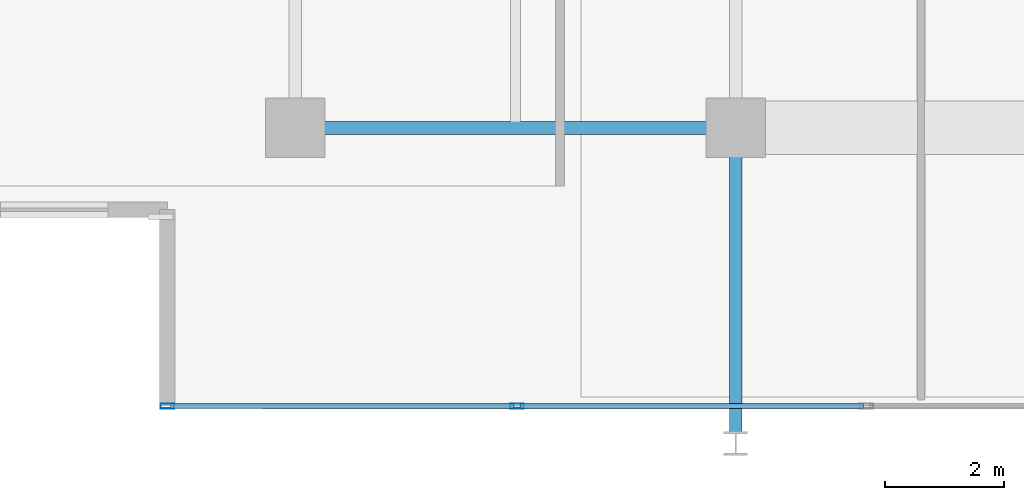
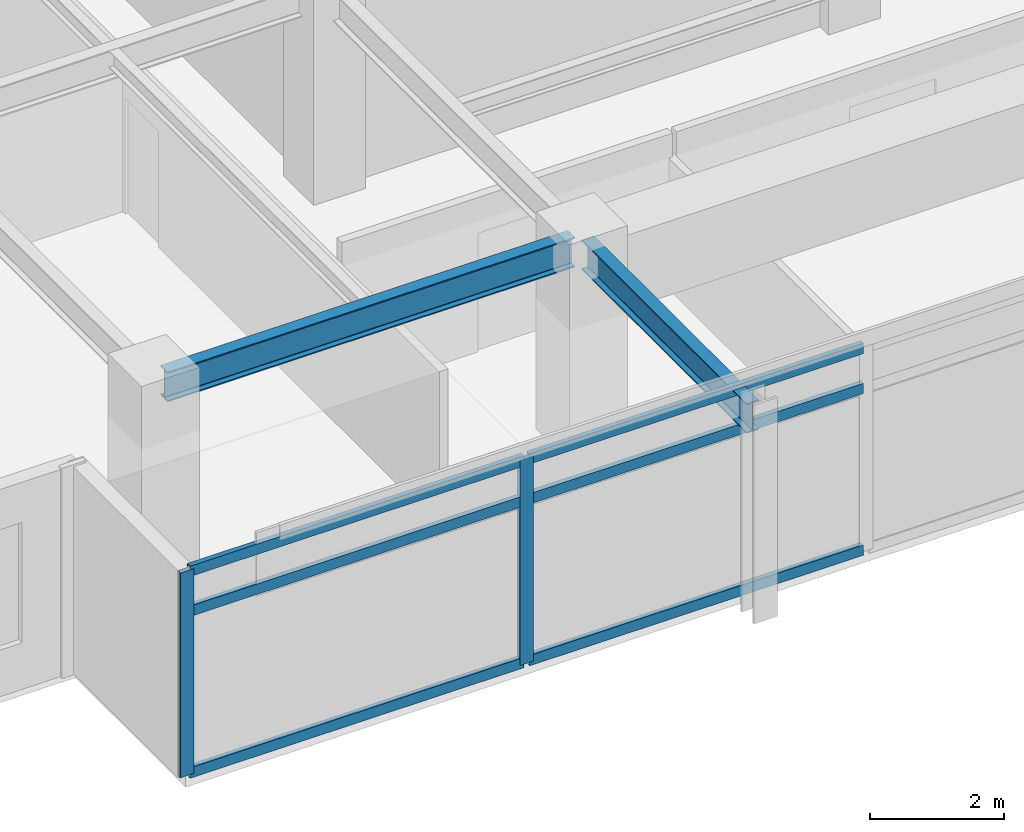
# One storey, part 2 of 20: 8 members, 2 beams, 1 element without a shape of its own.
"""IFC4 building model written with IfcOpenShell, lengths in metres."""

from ifc_helpers import new_model, si_unit, direction, frame, origin, origin_2d, place, context, subcontext, project, spatial, hollow_rectangle, i_section, extrude, material, material_profile, profile_set, type_object, element, aggregate, save


model = new_model("IFC4")

# Units and contexts
model_context = context("Model", 3, precision=1e-05, world=origin(), true_north=direction((0.0, 1.0)))
body_context = subcontext(model_context, "Body", "Model", "MODEL_VIEW")
ifc_project = project(units=[si_unit("LENGTHUNIT", "METRE"), si_unit("AREAUNIT", "SQUARE_METRE"), si_unit("VOLUMEUNIT", "CUBIC_METRE"), si_unit("PLANEANGLEUNIT", "RADIAN"), si_unit("MASSUNIT", "GRAM", prefix="KILO")], contexts=[model_context])

# Site, building, storey
site_placement = place(None, origin())
site = spatial("IfcSite", under=ifc_project, at=site_placement, CompositionType="ELEMENT")
building_placement = place(site_placement, origin())
building = spatial("IfcBuilding", under=site, at=building_placement, Name="Kovane Verandah Tower", CompositionType="ELEMENT")
storey_placement = place(building_placement, frame((0.0, 0.0, 334.800048828125)))
storey = spatial("IfcBuildingStorey", under=building, at=storey_placement, Name="L78", CompositionType="ELEMENT", Elevation=334.800048828125)

# Beams
ifc_material_1 = material(Name="Steel S355", Category="steel")
ifc_material_profile_1 = material_profile(ifc_material_1, i_section(OverallWidth=0.2119140625, OverallDepth=0.54443359375, WebThickness=0.0126953125, FlangeThickness=0.021240234375, FilletRadius=0.0126953125, at=origin_2d()), Name="UB533x210x122")
ifc_profile_set_1 = profile_set([ifc_material_profile_1], Name="Steel S355")
beam_type = type_object("IfcBeamType", Name="BM-UB533x122", PredefinedType="BEAM", material=ifc_profile_set_1)
beam_1_placement = place(storey_placement, frame((21.780029296875, 10.800048828125, 3.5126953125), z_axis=(1.0, 0.0, 0.0), x_axis=(0.0, 1.0, 0.0)))
element("IfcBeam", 1, at=beam_1_placement, inside=storey, type_object=beam_type, Name="L78 Primary Tower Girder G-RS1", PredefinedType="BEAM", context=body_context, shape_type="SweptSolid", body=[
    extrude(i_section(OverallWidth=0.2119140625, OverallDepth=0.54443359375, WebThickness=0.0126953125, FlangeThickness=0.021240234375, FilletRadius=0.0126953125, at=origin_2d()), origin(), (0.0, 0.0, 1.0), 7.0400390625),
])
beam_2_placement = place(storey_placement, frame((29.0, 10.6201171875, 3.48779296875), z_axis=(0.0, -1.0, 0.0), x_axis=(1.0, 0.0, 0.0)))
element("IfcBeam", 2, at=beam_2_placement, inside=storey, type_object=beam_type, Name="L78 Primary Tower Girder G-VS1", PredefinedType="BEAM", context=body_context, shape_type="SweptSolid", body=[
    extrude(i_section(OverallWidth=0.2119140625, OverallDepth=0.54443359375, WebThickness=0.0126953125, FlangeThickness=0.021240234375, FilletRadius=0.0126953125, at=origin_2d()), origin(), (0.0, 0.0, 1.0), 4.940185546875),
])

# Curtain wall, members
ifc_material_2 = material(Name="Champagne Anodised Aluminium Frame with Low-E Clear Laminated Glass", Category="aluminium")
curtain_wall_type = type_object("IfcCurtainWallType", Name="CW-SYS-05-HIGH", PredefinedType="NOTDEFINED", material=ifc_material_2)
curtain_wall_placement = place(storey_placement, origin())
curtain_wall = element("IfcCurtainWall", 3, at=curtain_wall_placement, inside=storey, type_object=curtain_wall_type, Name="L78 S Unitised Curtain Wall", PredefinedType="NOTDEFINED")
ifc_material_3 = material(Name="Champagne Anodised Aluminium 6063-T6", Category="aluminium")
ifc_material_profile_2 = material_profile(ifc_material_3, hollow_rectangle(XDim=0.0849609375, YDim=0.22998046875, WallThickness=0.00390625, at=origin_2d()), Name="AL85x230x4")
ifc_profile_set_2 = profile_set([ifc_material_profile_2], Name="Champagne Anodised Aluminium 6063-T6")
member_type_1 = type_object("IfcMemberType", Name="CW-MUL-85x230", PredefinedType="MULLION", material=ifc_profile_set_2)
member_1_placement = place(storey_placement, frame((19.45556640625, 6.127685546875, 0.02001953125), z_axis=(0.0, 0.0, 1.0), x_axis=(0.0, -1.0, 0.0)))
member_1 = element("IfcMember", 4, at=member_1_placement, type_object=member_type_1, Name="L78 S Unitised Curtain Wall Mullion 1", PredefinedType="MULLION", context=body_context, shape_type="SweptSolid", body=[
    extrude(hollow_rectangle(XDim=0.0849609375, YDim=0.22998046875, WallThickness=0.00390625, at=origin_2d()), origin(), (0.0, 0.0, 1.0), 3.744873046875),
])
member_2_placement = place(storey_placement, frame((25.325439453125, 6.127685546875, 0.02001953125), z_axis=(0.0, 0.0, 1.0), x_axis=(0.0, -1.0, 0.0)))
member_2 = element("IfcMember", 5, at=member_2_placement, type_object=member_type_1, Name="L78 S Unitised Curtain Wall Mullion 2", PredefinedType="MULLION", context=body_context, shape_type="SweptSolid", body=[
    extrude(hollow_rectangle(XDim=0.0849609375, YDim=0.22998046875, WallThickness=0.00390625, at=origin_2d()), origin(), (0.0, 0.0, 1.0), 3.744873046875),
])
ifc_material_profile_3 = material_profile(ifc_material_3, hollow_rectangle(XDim=0.0849609375, YDim=0.18994140625, WallThickness=0.00390625, at=origin_2d()), Name="AL85x190x4")
ifc_profile_set_3 = profile_set([ifc_material_profile_3], Name="Champagne Anodised Aluminium 6063-T6")
member_type_2 = type_object("IfcMemberType", Name="CW-TRN-85x190", PredefinedType="USERDEFINED", material=ifc_profile_set_3)
member_3_placement = place(storey_placement, frame((19.505615234375, 6.127685546875, 0.050048828125), z_axis=(1.0, 0.0, 0.0), x_axis=(0.0, 1.0, 0.0)))
member_3 = element("IfcMember", 6, at=member_3_placement, type_object=member_type_2, Name="L78 S Unitised Curtain Wall Transom TB Bay 1", ObjectType="TRANSOM", PredefinedType="USERDEFINED", context=body_context, shape_type="SweptSolid", body=[
    extrude(hollow_rectangle(XDim=0.0849609375, YDim=0.18994140625, WallThickness=0.00390625, at=origin_2d()), origin(), (0.0, 0.0, 1.0), 5.769775390625),
])
member_4_placement = place(storey_placement, frame((19.505615234375, 6.127685546875, 3.0048828125), z_axis=(1.0, 0.0, 0.0), x_axis=(0.0, 1.0, 0.0)))
member_4 = element("IfcMember", 7, at=member_4_placement, type_object=member_type_2, Name="L78 S Unitised Curtain Wall Transom TM Bay 1", ObjectType="TRANSOM", PredefinedType="USERDEFINED", context=body_context, shape_type="SweptSolid", body=[
    extrude(hollow_rectangle(XDim=0.0849609375, YDim=0.18994140625, WallThickness=0.00390625, at=origin_2d()), origin(), (0.0, 0.0, 1.0), 5.769775390625),
])
member_5_placement = place(storey_placement, frame((19.505615234375, 6.127685546875, 3.73486328125), z_axis=(1.0, 0.0, 0.0), x_axis=(0.0, 1.0, 0.0)))
member_5 = element("IfcMember", 8, at=member_5_placement, type_object=member_type_2, Name="L78 S Unitised Curtain Wall Transom TT Bay 1", ObjectType="TRANSOM", PredefinedType="USERDEFINED", context=body_context, shape_type="SweptSolid", body=[
    extrude(hollow_rectangle(XDim=0.0849609375, YDim=0.18994140625, WallThickness=0.00390625, at=origin_2d()), origin(), (0.0, 0.0, 1.0), 5.769775390625),
])
member_6_placement = place(storey_placement, frame((25.37548828125, 6.127685546875, 0.050048828125), z_axis=(1.0, 0.0, 0.0), x_axis=(0.0, 1.0, 0.0)))
member_6 = element("IfcMember", 9, at=member_6_placement, type_object=member_type_2, Name="L78 S Unitised Curtain Wall Transom TB Bay 2", ObjectType="TRANSOM", PredefinedType="USERDEFINED", context=body_context, shape_type="SweptSolid", body=[
    extrude(hollow_rectangle(XDim=0.0849609375, YDim=0.18994140625, WallThickness=0.00390625, at=origin_2d()), origin(), (0.0, 0.0, 1.0), 5.769775390625),
])
member_7_placement = place(storey_placement, frame((25.37548828125, 6.127685546875, 3.0048828125), z_axis=(1.0, 0.0, 0.0), x_axis=(0.0, 1.0, 0.0)))
member_7 = element("IfcMember", 10, at=member_7_placement, type_object=member_type_2, Name="L78 S Unitised Curtain Wall Transom TM Bay 2", ObjectType="TRANSOM", PredefinedType="USERDEFINED", context=body_context, shape_type="SweptSolid", body=[
    extrude(hollow_rectangle(XDim=0.0849609375, YDim=0.18994140625, WallThickness=0.00390625, at=origin_2d()), origin(), (0.0, 0.0, 1.0), 5.769775390625),
])
member_8_placement = place(storey_placement, frame((25.37548828125, 6.127685546875, 3.73486328125), z_axis=(1.0, 0.0, 0.0), x_axis=(0.0, 1.0, 0.0)))
member_8 = element("IfcMember", 11, at=member_8_placement, type_object=member_type_2, Name="L78 S Unitised Curtain Wall Transom TT Bay 2", ObjectType="TRANSOM", PredefinedType="USERDEFINED", context=body_context, shape_type="SweptSolid", body=[
    extrude(hollow_rectangle(XDim=0.0849609375, YDim=0.18994140625, WallThickness=0.00390625, at=origin_2d()), origin(), (0.0, 0.0, 1.0), 5.769775390625),
])
aggregate(curtain_wall, [member_1, member_2, member_3, member_4, member_5, member_6, member_7, member_8])

save(model, "model.ifc")
